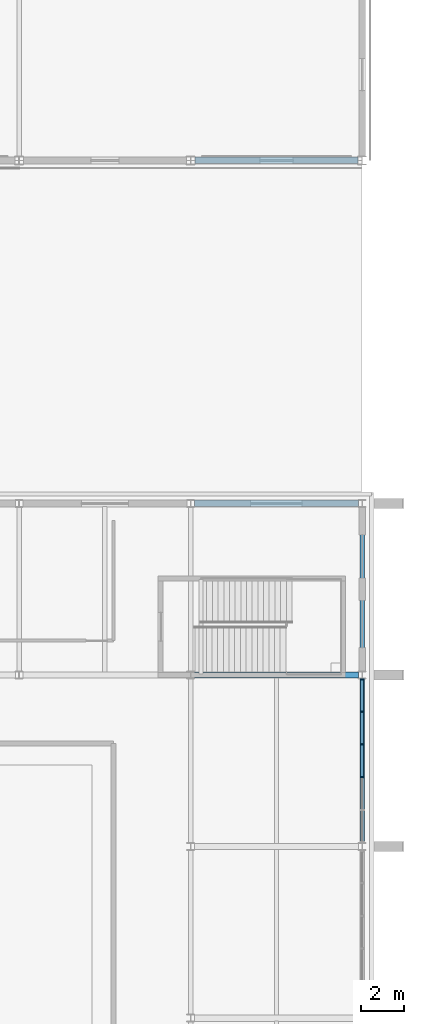
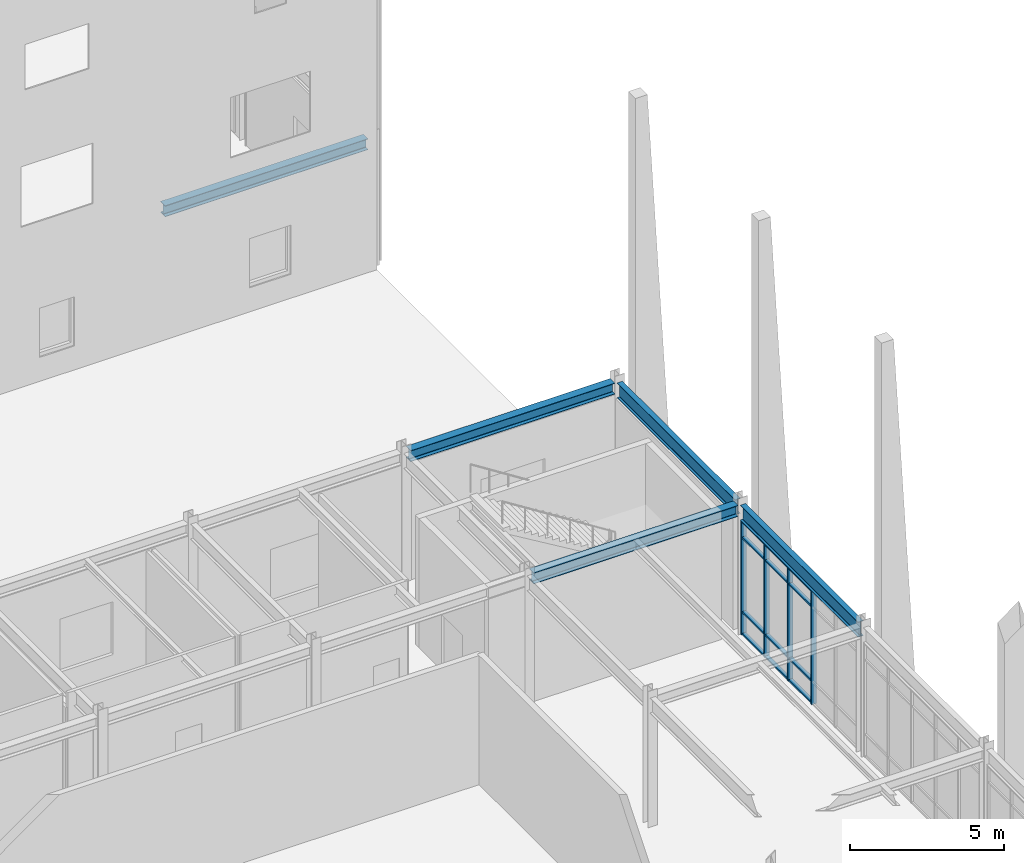
# One storey, part 51 of 119: 16 members, 5 beams, 1 element without a shape of its own.
"""IFC4 building model written with IfcOpenShell, lengths in metres."""

from ifc_helpers import new_model, si_unit, direction, frame, origin, origin_2d, place, context, subcontext, project, spatial, rectangle, i_section, extrude, material, material_profile, profile_set, type_object, element, aggregate, save


model = new_model("IFC4")

# Units and contexts
model_context = context("Model", 3, precision=1e-05, world=origin(), true_north=direction((0.0, 1.0)))
body_context = subcontext(model_context, "Body", "Model", "MODEL_VIEW")
ifc_project = project(units=[si_unit("LENGTHUNIT", "METRE"), si_unit("AREAUNIT", "SQUARE_METRE"), si_unit("VOLUMEUNIT", "CUBIC_METRE"), si_unit("PLANEANGLEUNIT", "RADIAN"), si_unit("MASSUNIT", "GRAM", prefix="KILO")], contexts=[model_context])

# Site, building, storey
site_placement = place(None, origin())
site = spatial("IfcSite", under=ifc_project, at=site_placement, CompositionType="ELEMENT")
building_placement = place(site_placement, origin())
building = spatial("IfcBuilding", under=site, at=building_placement, Name="Zhaolan Boulevard Law Courts", CompositionType="ELEMENT")
storey_placement = place(building_placement, origin())
storey = spatial("IfcBuildingStorey", under=building, at=storey_placement, Name="L00", CompositionType="ELEMENT", Elevation=0.0)

# Curtain wall, members
ifc_material_1 = material(Name="Thermally broken aluminium and low-E glazing", Category="aluminium")
curtain_wall_type = type_object("IfcCurtainWallType", Name="CURTAIN WALL M11", PredefinedType="USERDEFINED", material=ifc_material_1)
curtain_wall_placement = place(storey_placement, origin())
curtain_wall = element("IfcCurtainWall", 1, at=curtain_wall_placement, inside=storey, type_object=curtain_wall_type, Name="Curtain Wall CW-L00-011", ObjectType="CURTAIN WALL", PredefinedType="USERDEFINED")
ifc_material_2 = material(Name="Fluorocarbon-coated aluminium 6063-T6", Category="aluminium")
ifc_material_profile_1 = material_profile(ifc_material_2, rectangle(XDim=0.179931640625, YDim=0.06494140625, at=origin_2d()), Name="AL65x180")
ifc_profile_set_1 = profile_set([ifc_material_profile_1], Name="Fluorocarbon-coated aluminium 6063-T6")
member_type_1 = type_object("IfcMemberType", Name="CWMULLION 65X180", PredefinedType="MULLION", material=ifc_profile_set_1)
member_1_placement = place(storey_placement, frame((164.0, 33.2353515625, 0.0), z_axis=(0.0, 0.0, 1.0), x_axis=(-1.0, 0.0, 0.0)))
member_1 = element("IfcMember", 2, at=member_1_placement, type_object=member_type_1, Name="CW-L00-011 mullion 3", PredefinedType="MULLION", context=body_context, shape_type="SweptSolid", body=[
    extrude(rectangle(XDim=0.179931640625, YDim=0.06494140625, at=origin_2d()), origin(), (0.0, 0.0, 1.0), 4.5029296875),
])
member_2_placement = place(storey_placement, frame((164.0, 34.7646484375, 0.0), z_axis=(0.0, 0.0, 1.0), x_axis=(-1.0, 0.0, 0.0)))
member_2 = element("IfcMember", 3, at=member_2_placement, type_object=member_type_1, Name="CW-L00-011 mullion 4", PredefinedType="MULLION", context=body_context, shape_type="SweptSolid", body=[
    extrude(rectangle(XDim=0.179931640625, YDim=0.06494140625, at=origin_2d()), origin(), (0.0, 0.0, 1.0), 4.5029296875),
])
member_3_placement = place(storey_placement, frame((164.0, 36.293701171875, 0.0), z_axis=(0.0, 0.0, 1.0), x_axis=(-1.0, 0.0, 0.0)))
member_3 = element("IfcMember", 4, at=member_3_placement, type_object=member_type_1, Name="CW-L00-011 mullion 5", PredefinedType="MULLION", context=body_context, shape_type="SweptSolid", body=[
    extrude(rectangle(XDim=0.179931640625, YDim=0.06494140625, at=origin_2d()), origin(), (0.0, 0.0, 1.0), 4.5029296875),
])
member_4_placement = place(storey_placement, frame((164.0, 37.79052734375, 0.0), z_axis=(0.0, 0.0, 1.0), x_axis=(-1.0, 0.0, 0.0)))
member_4 = element("IfcMember", 5, at=member_4_placement, type_object=member_type_1, Name="CW-L00-011 mullion 6", PredefinedType="MULLION", context=body_context, shape_type="SweptSolid", body=[
    extrude(rectangle(XDim=0.179931640625, YDim=0.06494140625, at=origin_2d()), origin(), (0.0, 0.0, 1.0), 4.5029296875),
])
ifc_material_3 = material(Name="Fluorocarbon-coated aluminium 6063-T6", Category="aluminium")
ifc_material_profile_2 = material_profile(ifc_material_3, rectangle(XDim=0.139892578125, YDim=0.06494140625, at=origin_2d()), Name="AL65x140")
ifc_profile_set_2 = profile_set([ifc_material_profile_2], Name="Fluorocarbon-coated aluminium 6063-T6")
member_type_2 = type_object("IfcMemberType", Name="CWTRANSOM 65X140", PredefinedType="USERDEFINED", material=ifc_profile_set_2)
member_5_placement = place(storey_placement, frame((164.0, 33.267822265625, 0.032470703125), z_axis=(0.0, 1.0, 0.0), x_axis=(-1.0, 0.0, 0.0)))
member_5 = element("IfcMember", 6, at=member_5_placement, type_object=member_type_2, Name="CW-L00-011 transom 3.1", ObjectType="TRANSOM", PredefinedType="USERDEFINED", context=body_context, shape_type="SweptSolid", body=[
    extrude(rectangle(XDim=0.139892578125, YDim=0.06494140625, at=origin_2d()), origin(), (0.0, 0.0, 1.0), 1.46435546875),
])
member_6_placement = place(storey_placement, frame((164.0, 33.267822265625, 0.89990234375), z_axis=(0.0, 1.0, 0.0), x_axis=(-1.0, 0.0, 0.0)))
member_6 = element("IfcMember", 7, at=member_6_placement, type_object=member_type_2, Name="CW-L00-011 transom 3.2", ObjectType="TRANSOM", PredefinedType="USERDEFINED", context=body_context, shape_type="SweptSolid", body=[
    extrude(rectangle(XDim=0.139892578125, YDim=0.06494140625, at=origin_2d()), origin(), (0.0, 0.0, 1.0), 1.46435546875),
])
member_7_placement = place(storey_placement, frame((164.0, 33.267822265625, 3.85302734375), z_axis=(0.0, 1.0, 0.0), x_axis=(-1.0, 0.0, 0.0)))
member_7 = element("IfcMember", 8, at=member_7_placement, type_object=member_type_2, Name="CW-L00-011 transom 3.3", ObjectType="TRANSOM", PredefinedType="USERDEFINED", context=body_context, shape_type="SweptSolid", body=[
    extrude(rectangle(XDim=0.139892578125, YDim=0.06494140625, at=origin_2d()), origin(), (0.0, 0.0, 1.0), 1.46435546875),
])
member_8_placement = place(storey_placement, frame((164.0, 33.267822265625, 4.470458984375), z_axis=(0.0, 1.0, 0.0), x_axis=(-1.0, 0.0, 0.0)))
member_8 = element("IfcMember", 9, at=member_8_placement, type_object=member_type_2, Name="CW-L00-011 transom 3.4", ObjectType="TRANSOM", PredefinedType="USERDEFINED", context=body_context, shape_type="SweptSolid", body=[
    extrude(rectangle(XDim=0.139892578125, YDim=0.06494140625, at=origin_2d()), origin(), (0.0, 0.0, 1.0), 1.46435546875),
])
member_9_placement = place(storey_placement, frame((164.0, 34.797119140625, 0.032470703125), z_axis=(0.0, 1.0, 0.0), x_axis=(-1.0, 0.0, 0.0)))
member_9 = element("IfcMember", 10, at=member_9_placement, type_object=member_type_2, Name="CW-L00-011 transom 4.1", ObjectType="TRANSOM", PredefinedType="USERDEFINED", context=body_context, shape_type="SweptSolid", body=[
    extrude(rectangle(XDim=0.139892578125, YDim=0.06494140625, at=origin_2d()), origin(), (0.0, 0.0, 1.0), 1.464111328125),
])
member_10_placement = place(storey_placement, frame((164.0, 34.797119140625, 0.89990234375), z_axis=(0.0, 1.0, 0.0), x_axis=(-1.0, 0.0, 0.0)))
member_10 = element("IfcMember", 11, at=member_10_placement, type_object=member_type_2, Name="CW-L00-011 transom 4.2", ObjectType="TRANSOM", PredefinedType="USERDEFINED", context=body_context, shape_type="SweptSolid", body=[
    extrude(rectangle(XDim=0.139892578125, YDim=0.06494140625, at=origin_2d()), origin(), (0.0, 0.0, 1.0), 1.464111328125),
])
member_11_placement = place(storey_placement, frame((164.0, 34.797119140625, 3.85302734375), z_axis=(0.0, 1.0, 0.0), x_axis=(-1.0, 0.0, 0.0)))
member_11 = element("IfcMember", 12, at=member_11_placement, type_object=member_type_2, Name="CW-L00-011 transom 4.3", ObjectType="TRANSOM", PredefinedType="USERDEFINED", context=body_context, shape_type="SweptSolid", body=[
    extrude(rectangle(XDim=0.139892578125, YDim=0.06494140625, at=origin_2d()), origin(), (0.0, 0.0, 1.0), 1.464111328125),
])
member_12_placement = place(storey_placement, frame((164.0, 34.797119140625, 4.470458984375), z_axis=(0.0, 1.0, 0.0), x_axis=(-1.0, 0.0, 0.0)))
member_12 = element("IfcMember", 13, at=member_12_placement, type_object=member_type_2, Name="CW-L00-011 transom 4.4", ObjectType="TRANSOM", PredefinedType="USERDEFINED", context=body_context, shape_type="SweptSolid", body=[
    extrude(rectangle(XDim=0.139892578125, YDim=0.06494140625, at=origin_2d()), origin(), (0.0, 0.0, 1.0), 1.464111328125),
])
member_13_placement = place(storey_placement, frame((164.0, 36.326416015625, 0.032470703125), z_axis=(0.0, 1.0, 0.0), x_axis=(-1.0, 0.0, 0.0)))
member_13 = element("IfcMember", 14, at=member_13_placement, type_object=member_type_2, Name="CW-L00-011 transom 5.1", ObjectType="TRANSOM", PredefinedType="USERDEFINED", context=body_context, shape_type="SweptSolid", body=[
    extrude(rectangle(XDim=0.139892578125, YDim=0.06494140625, at=origin_2d()), origin(), (0.0, 0.0, 1.0), 1.431640625),
])
member_14_placement = place(storey_placement, frame((164.0, 36.326416015625, 0.89990234375), z_axis=(0.0, 1.0, 0.0), x_axis=(-1.0, 0.0, 0.0)))
member_14 = element("IfcMember", 15, at=member_14_placement, type_object=member_type_2, Name="CW-L00-011 transom 5.2", ObjectType="TRANSOM", PredefinedType="USERDEFINED", context=body_context, shape_type="SweptSolid", body=[
    extrude(rectangle(XDim=0.139892578125, YDim=0.06494140625, at=origin_2d()), origin(), (0.0, 0.0, 1.0), 1.431640625),
])
member_15_placement = place(storey_placement, frame((164.0, 36.326416015625, 3.85302734375), z_axis=(0.0, 1.0, 0.0), x_axis=(-1.0, 0.0, 0.0)))
member_15 = element("IfcMember", 16, at=member_15_placement, type_object=member_type_2, Name="CW-L00-011 transom 5.3", ObjectType="TRANSOM", PredefinedType="USERDEFINED", context=body_context, shape_type="SweptSolid", body=[
    extrude(rectangle(XDim=0.139892578125, YDim=0.06494140625, at=origin_2d()), origin(), (0.0, 0.0, 1.0), 1.431640625),
])
member_16_placement = place(storey_placement, frame((164.0, 36.326416015625, 4.470458984375), z_axis=(0.0, 1.0, 0.0), x_axis=(-1.0, 0.0, 0.0)))
member_16 = element("IfcMember", 17, at=member_16_placement, type_object=member_type_2, Name="CW-L00-011 transom 5.4", ObjectType="TRANSOM", PredefinedType="USERDEFINED", context=body_context, shape_type="SweptSolid", body=[
    extrude(rectangle(XDim=0.139892578125, YDim=0.06494140625, at=origin_2d()), origin(), (0.0, 0.0, 1.0), 1.431640625),
])
aggregate(curtain_wall, [member_1, member_2, member_3, member_4, member_5, member_6, member_7, member_8, member_9, member_10, member_11, member_12, member_13, member_14, member_15, member_16])

# Beams
ifc_material_4 = material(Name="Structural steel Q355B", Category="steel")
ifc_material_profile_3 = material_profile(ifc_material_4, i_section(OverallWidth=0.300048828125, OverallDepth=0.43994140625, WebThickness=0.010986328125, FlangeThickness=0.01806640625, FilletRadius=0.02001953125, at=origin_2d()), Name="HM440x300")
ifc_profile_set_3 = profile_set([ifc_material_profile_3], Name="Structural steel Q355B")
beam_type_1 = type_object("IfcBeamType", Name="GIRDER HM440", PredefinedType="BEAM", material=ifc_profile_set_3)
for number, where, z_axis, x_axis, name in (
    (18, (156.1708984375, 38.0, 4.89794921875), (1.0, 0.0, 0.0), (0.0, 1.0, 0.0), "Beam BX-L01-20-21-F"),
    (19, (156.1708984375, 46.0, 4.89794921875), (1.0, 0.0, 0.0), (0.0, 1.0, 0.0), "Beam BX-L01-20-21-G"),
):
    element("IfcBeam", number, at=place(storey_placement, frame(where, z_axis=z_axis, x_axis=x_axis)), inside=storey, type_object=beam_type_1, Name=name, PredefinedType="BEAM", context=body_context, shape_type="SweptSolid", body=[
        extrude(i_section(OverallWidth=0.300048828125, OverallDepth=0.43994140625, WebThickness=0.010986328125, FlangeThickness=0.01806640625, FilletRadius=0.02001953125, at=origin_2d()), origin(), (0.0, 0.0, 1.0), 7.658203125),
    ])
beam_placement = place(storey_placement, frame((156.196044921875, 62.0, 4.89794921875), z_axis=(1.0, 0.0, 0.0), x_axis=(0.0, 1.0, 0.0)))
element("IfcBeam", 20, at=beam_placement, inside=storey, type_object=beam_type_1, Name="Beam BX-L01-20-21-J", PredefinedType="BEAM", context=body_context, shape_type="SweptSolid", body=[
    extrude(i_section(OverallWidth=0.300048828125, OverallDepth=0.43994140625, WebThickness=0.010986328125, FlangeThickness=0.01806640625, FilletRadius=0.02001953125, at=origin_2d()), origin(), (0.0, 0.0, 1.0), 7.60791015625),
])
ifc_material_5 = material(Name="Structural steel Q355B", Category="steel")
ifc_material_profile_4 = material_profile(ifc_material_5, i_section(OverallWidth=0.199951171875, OverallDepth=0.60009765625, WebThickness=0.010986328125, FlangeThickness=0.01708984375, FilletRadius=0.02001953125, at=origin_2d()), Name="HN600x200")
ifc_profile_set_4 = profile_set([ifc_material_profile_4], Name="Structural steel Q355B")
beam_type_2 = type_object("IfcBeamType", Name="GIRDER HN600", PredefinedType="BEAM", material=ifc_profile_set_4)
for number, where, z_axis, x_axis, name in (
    (21, (164.0, 30.1708984375, 4.818115234375), (0.0, 1.0, 0.0), (-1.0, 0.0, 0.0), "Beam BY-L01-21-E-F"),
    (22, (164.0, 38.1708984375, 4.818115234375), (0.0, 1.0, 0.0), (-1.0, 0.0, 0.0), "Beam BY-L01-21-F-G"),
):
    element("IfcBeam", number, at=place(storey_placement, frame(where, z_axis=z_axis, x_axis=x_axis)), inside=storey, type_object=beam_type_2, Name=name, PredefinedType="BEAM", context=body_context, shape_type="SweptSolid", body=[
        extrude(i_section(OverallWidth=0.199951171875, OverallDepth=0.60009765625, WebThickness=0.010986328125, FlangeThickness=0.01708984375, FilletRadius=0.02001953125, at=origin_2d()), origin(), (0.0, 0.0, 1.0), 7.658203125),
    ])

save(model, "model.ifc")
